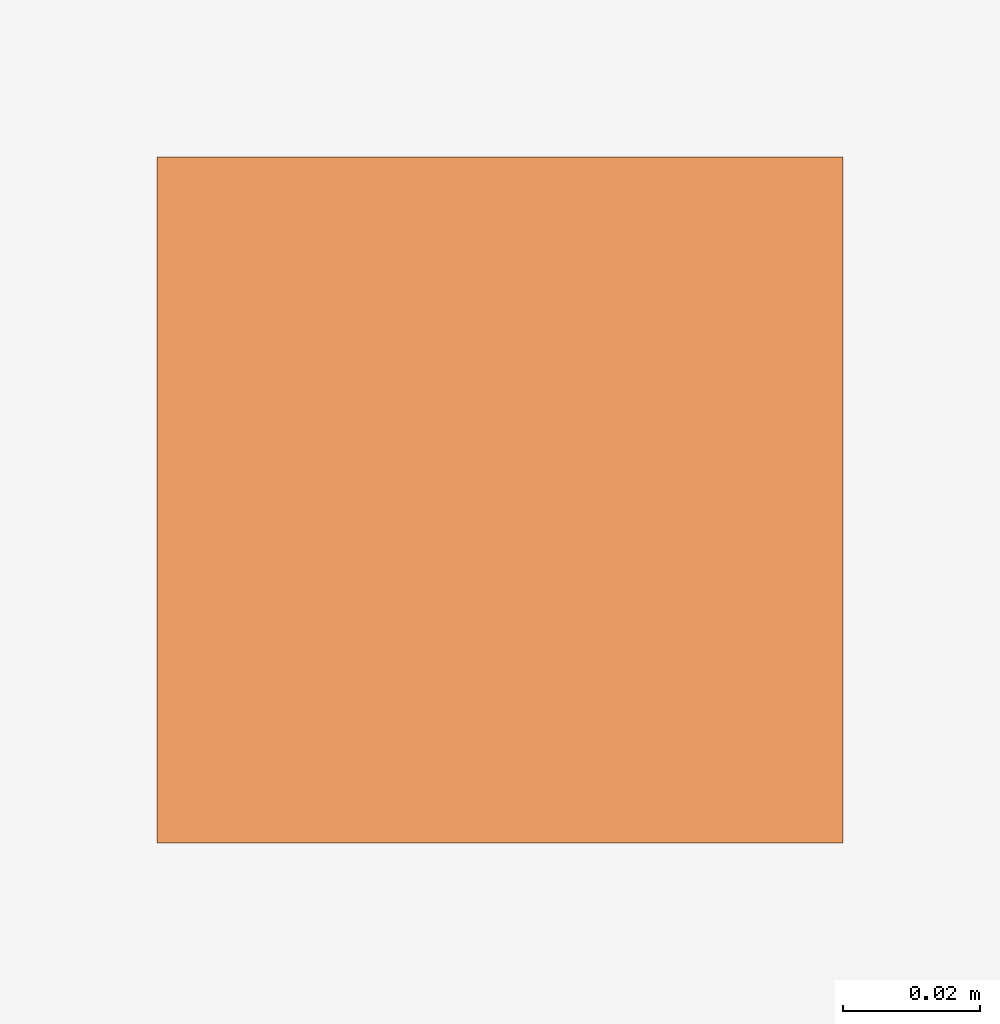
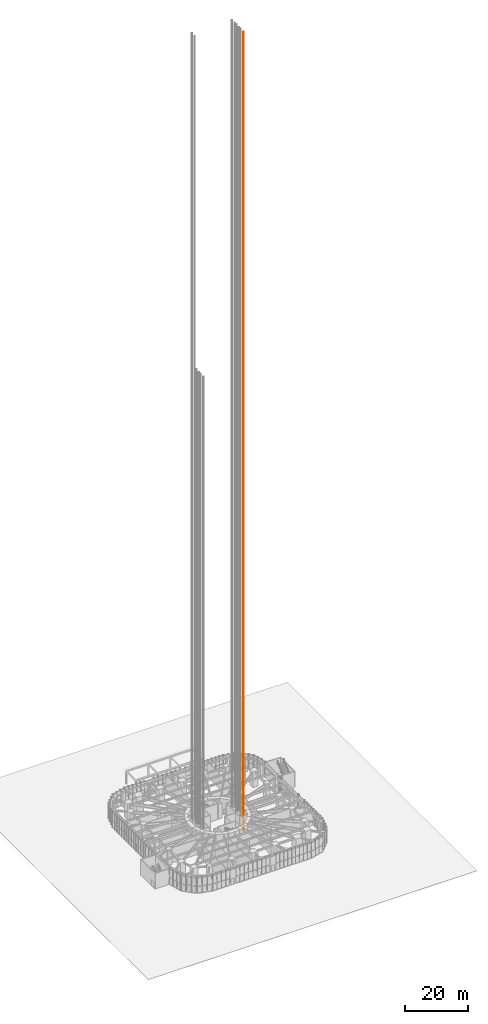
# One storey, part 38 of 43: 1 proxy.
"""IFC4 building model written with IfcOpenShell, lengths in metres."""

from ifc_helpers import new_model, si_unit, direction, frame, origin, origin_2d, place, context, subcontext, project, spatial, rectangle, extrude, material, type_object, element, save


model = new_model("IFC4")

# Units and contexts
model_context = context("Model", 3, precision=1e-05, world=origin(), true_north=direction((0.0, 1.0)))
body_context = subcontext(model_context, "Body", "Model", "MODEL_VIEW")
ifc_project = project(units=[si_unit("LENGTHUNIT", "METRE"), si_unit("AREAUNIT", "SQUARE_METRE"), si_unit("VOLUMEUNIT", "CUBIC_METRE"), si_unit("PLANEANGLEUNIT", "RADIAN"), si_unit("MASSUNIT", "GRAM", prefix="KILO")], contexts=[model_context])

# Site, building, storey
site_placement = place(None, origin())
site = spatial("IfcSite", under=ifc_project, at=site_placement, CompositionType="ELEMENT")
building_placement = place(site_placement, origin())
building = spatial("IfcBuilding", under=site, at=building_placement, Name="Nakasero Lantern House", CompositionType="ELEMENT")
storey_placement = place(building_placement, origin())
storey = spatial("IfcBuildingStorey", under=building, at=storey_placement, Name="L00", CompositionType="ELEMENT", Elevation=0.0)

# Proxy
ifc_material = material(Name="Steel S355", Category="steel")
building_element_proxy_type = type_object("IfcBuildingElementProxyType", Name="Lift guide rail", PredefinedType="ELEMENT", material=ifc_material)
proxy_placement = place(storey_placement, frame((7.300048828125, -3.699951171875, 0.0), z_axis=(0.0, 0.0, 1.0), x_axis=(1.0, 0.0, 0.0)))
element("IfcBuildingElementProxy", 1, at=proxy_placement, inside=storey, type_object=building_element_proxy_type, Name="Guide rail FLE1 1", PredefinedType="ELEMENT", context=body_context, shape_type="SweptSolid", body=[
    extrude(rectangle(XDim=0.10009765625, YDim=0.10009765625, at=origin_2d()), origin(), (0.0, 0.0, 1.0), 308.0),
])

save(model, "model.ifc")
